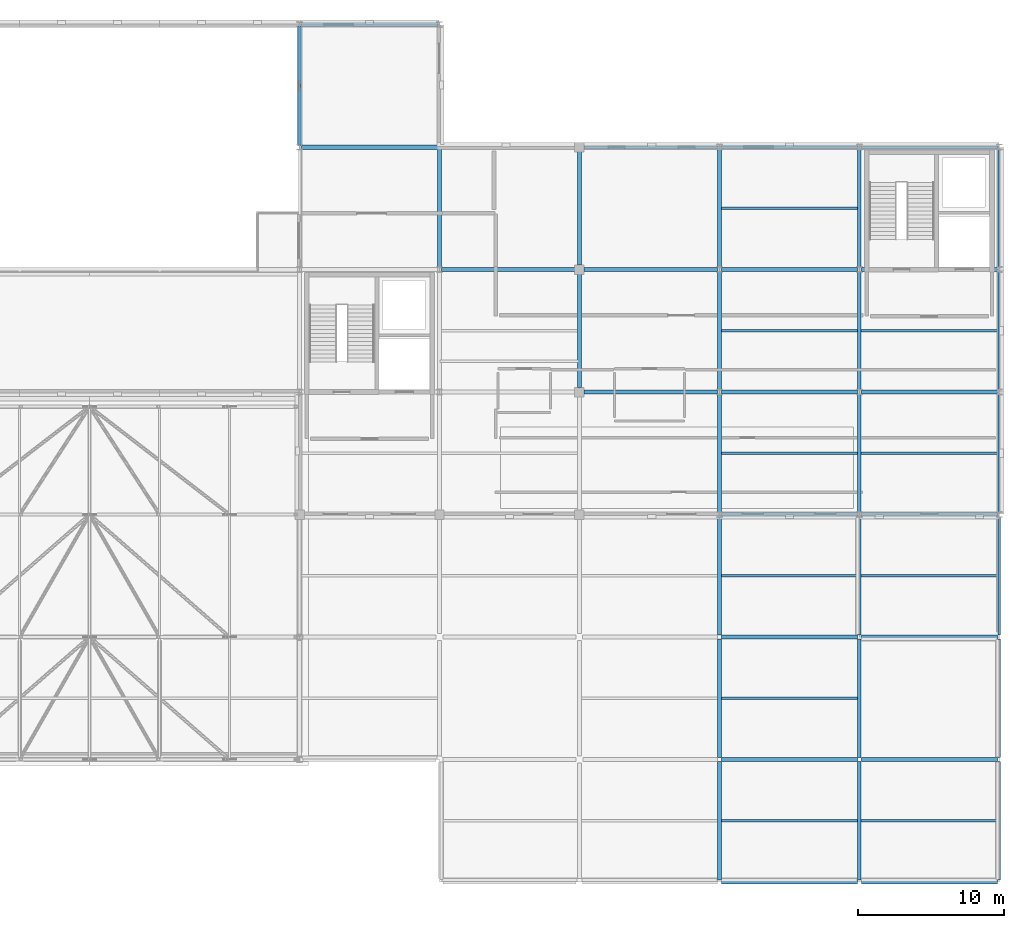
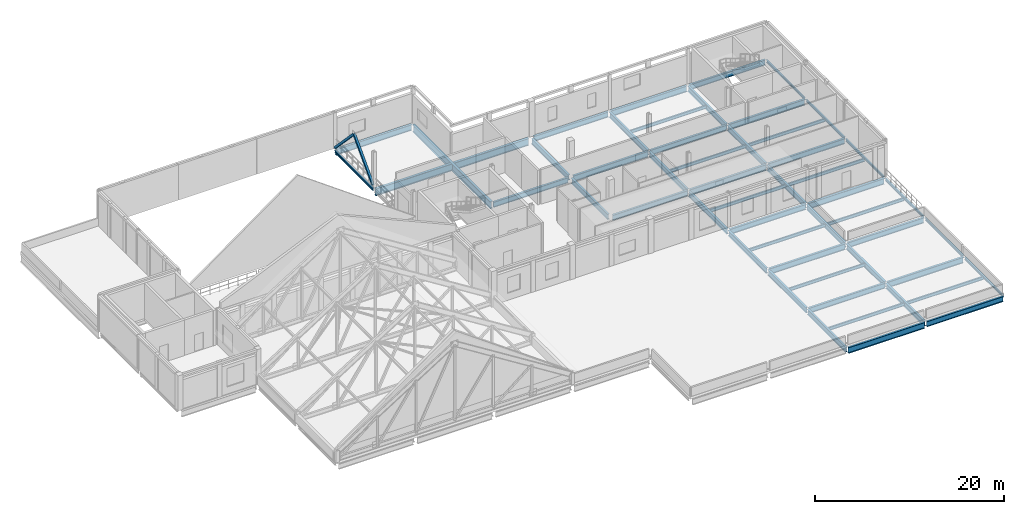
# One storey, part 16 of 26: 52 beams, 2 members.
"""IFC4 building model written with IfcOpenShell, lengths in metres."""

from ifc_helpers import new_model, si_unit, direction, frame, origin, origin_2d, place, context, subcontext, project, spatial, hollow_rectangle, i_section, extrude, material, material_profile, profile_set, type_object, element, save


model = new_model("IFC4")

# Units and contexts
model_context = context("Model", 3, precision=1e-05, world=origin(), true_north=direction((0.0, 1.0)))
body_context = subcontext(model_context, "Body", "Model", "MODEL_VIEW")
ifc_project = project(units=[si_unit("LENGTHUNIT", "METRE"), si_unit("AREAUNIT", "SQUARE_METRE"), si_unit("VOLUMEUNIT", "CUBIC_METRE"), si_unit("PLANEANGLEUNIT", "RADIAN"), si_unit("MASSUNIT", "GRAM", prefix="KILO")], contexts=[model_context])

# Site, building, storey
site_placement = place(None, origin())
site = spatial("IfcSite", under=ifc_project, at=site_placement, CompositionType="ELEMENT")
building_placement = place(site_placement, origin())
building = spatial("IfcBuilding", under=site, at=building_placement, Name="Lornevale Opera House", CompositionType="ELEMENT")
storey_placement = place(building_placement, frame((0.0, 0.0, 19.800048828125)))
storey = spatial("IfcBuildingStorey", under=building, at=storey_placement, Name="L05", CompositionType="ELEMENT", Elevation=19.800048828125)

# Members
ifc_material = material(Name="Structural Steel CSA G40.21 Grade 350W (350 MPa)", Category="steel")
ifc_material_profile_1 = material_profile(ifc_material, hollow_rectangle(XDim=0.25390625, YDim=0.25390625, WallThickness=0.0126953125, at=origin_2d()), Name="HSS254x254x13")
ifc_profile_set_1 = profile_set([ifc_material_profile_1], Name="Structural Steel CSA G40.21 Grade 350W (350 MPa)")
member_type = type_object("IfcMemberType", Name="Stagehouse Lateral Brace HSS254x254x13", PredefinedType="BRACE", material=ifc_profile_set_1)
member_1_placement = place(storey_placement, frame((96.0, 75.79345703125, 0.099853515625), z_axis=(0.0, 0.690233628868, 0.723586579187), x_axis=(-1.0, 0.0, 0.0)))
element("IfcMember", 1, at=member_1_placement, inside=storey, type_object=member_type, Name="Stagehouse Lateral Brace HSS254x254x13 0124", PredefinedType="BRACE", context=body_context, shape_type="SweptSolid", body=[
    extrude(hollow_rectangle(XDim=0.25390625, YDim=0.25390625, WallThickness=0.0126953125, at=origin_2d()), origin(), (0.0, 0.0, 1.0), 5.8046875),
])
member_2_placement = place(storey_placement, frame((96.0, 83.806396484375, 0.099853515625), z_axis=(0.0, -0.690211606653, 0.723607585671), x_axis=(1.0, 0.0, 0.0)))
element("IfcMember", 2, at=member_2_placement, inside=storey, type_object=member_type, Name="Stagehouse Lateral Brace HSS254x254x13 0125", PredefinedType="BRACE", context=body_context, shape_type="SweptSolid", body=[
    extrude(hollow_rectangle(XDim=0.25390625, YDim=0.25390625, WallThickness=0.0126953125, at=origin_2d()), origin(), (0.0, 0.0, 1.0), 5.804443359375),
])

# Beams
ifc_material_profile_2 = material_profile(ifc_material, i_section(OverallWidth=0.179931640625, OverallDepth=0.4130859375, WebThickness=0.009765625, FlangeThickness=0.01611328125, at=origin_2d()), Name="W410x74")
ifc_profile_set_2 = profile_set([ifc_material_profile_2], Name="Structural Steel CSA G40.21 Grade 350W (350 MPa)")
beam_type_1 = type_object("IfcBeamType", Name="Steel Floor Joist W410x74", PredefinedType="JOIST", material=ifc_profile_set_2)
for number, where, z_axis, x_axis, name in (
    (3, (124.927001953125, 29.39990234375, -0.511474609375), (1.0, 0.0, 0.0), (0.0, 1.0, 0.0), "Steel Floor Joist W410x74 2819"),
    (4, (124.927001953125, 37.800048828125, -0.511474609375), (1.0, 0.0, 0.0), (0.0, 1.0, 0.0), "Steel Floor Joist W410x74 2820"),
    (5, (124.927001953125, 46.199951171875, -0.511474609375), (1.0, 0.0, 0.0), (0.0, 1.0, 0.0), "Steel Floor Joist W410x74 2821"),
    (6, (124.927001953125, 54.60009765625, -0.511474609375), (1.0, 0.0, 0.0), (0.0, 1.0, 0.0), "Steel Floor Joist W410x74 2822"),
    (7, (124.927001953125, 63.0, -0.461669921875), (1.0, 0.0, 0.0), (0.0, 1.0, 0.0), "Steel Floor Joist W410x74 2823"),
    (8, (124.927001953125, 71.39990234375, -0.461669921875), (1.0, 0.0, 0.0), (0.0, 1.0, 0.0), "Steel Floor Joist W410x74 2824"),
):
    element("IfcBeam", number, at=place(storey_placement, frame(where, z_axis=z_axis, x_axis=x_axis)), inside=storey, type_object=beam_type_1, Name=name, PredefinedType="JOIST", context=body_context, shape_type="SweptSolid", body=[
        extrude(i_section(OverallWidth=0.179931640625, OverallDepth=0.4130859375, WebThickness=0.009765625, FlangeThickness=0.01611328125, at=origin_2d()), origin(), (0.0, 0.0, 1.0), 9.345947265625),
    ])
for number, where, z_axis, x_axis, name in (
    (9, (134.527099609375, 29.39990234375, -0.511474609375), (1.0, 0.0, 0.0), (0.0, 1.0, 0.0), "Steel Floor Joist W410x74 2825"),
    (10, (134.527099609375, 46.199951171875, -0.511474609375), (1.0, 0.0, 0.0), (0.0, 1.0, 0.0), "Steel Floor Joist W410x74 2826"),
    (11, (134.527099609375, 54.60009765625, -0.511474609375), (1.0, 0.0, 0.0), (0.0, 1.0, 0.0), "Steel Floor Joist W410x74 2827"),
    (12, (134.527099609375, 63.0, -0.461669921875), (1.0, 0.0, 0.0), (0.0, 1.0, 0.0), "Steel Floor Joist W410x74 2828"),
):
    element("IfcBeam", number, at=place(storey_placement, frame(where, z_axis=z_axis, x_axis=x_axis)), inside=storey, type_object=beam_type_1, Name=name, PredefinedType="JOIST", context=body_context, shape_type="SweptSolid", body=[
        extrude(i_section(OverallWidth=0.179931640625, OverallDepth=0.4130859375, WebThickness=0.009765625, FlangeThickness=0.01611328125, at=origin_2d()), origin(), (0.0, 0.0, 1.0), 9.389404296875),
    ])
ifc_material_profile_3 = material_profile(ifc_material, i_section(OverallWidth=0.25390625, OverallDepth=0.68798828125, WebThickness=0.01318359375, FlangeThickness=0.02099609375, at=origin_2d()), Name="W690x152")
ifc_profile_set_3 = profile_set([ifc_material_profile_3], Name="Structural Steel CSA G40.21 Grade 350W (350 MPa)")
beam_type_2 = type_object("IfcBeamType", Name="Steel Foyer Beam W690x152", PredefinedType="USERDEFINED", material=ifc_profile_set_3)
for number, where, z_axis, x_axis, name in (
    (13, (134.53662109375, 25.199951171875, -0.649169921875), (1.0, 0.0, 0.0), (0.0, 1.0, 0.0), "Steel Foyer Beam W690x152 2715"),
    (14, (124.9365234375, 33.60009765625, -0.649169921875), (1.0, 0.0, 0.0), (0.0, 1.0, 0.0), "Steel Foyer Beam W690x152 2722"),
    (15, (134.53662109375, 42.0, -0.649169921875), (1.0, 0.0, 0.0), (0.0, 1.0, 0.0), "Steel Foyer Beam W690x152 2731"),
    (16, (124.9365234375, 50.39990234375, -0.649169921875), (1.0, 0.0, 0.0), (0.0, 1.0, 0.0), "Steel Foyer Beam W690x152 2736"),
):
    element("IfcBeam", number, at=place(storey_placement, frame(where, z_axis=z_axis, x_axis=x_axis)), inside=storey, type_object=beam_type_2, Name=name, ObjectType="GIRDER", PredefinedType="USERDEFINED", context=body_context, shape_type="SweptSolid", body=[
        extrude(i_section(OverallWidth=0.25390625, OverallDepth=0.68798828125, WebThickness=0.01318359375, FlangeThickness=0.02099609375, at=origin_2d()), origin(), (0.0, 0.0, 1.0), 9.326904296875),
    ])
beam_1_placement = place(storey_placement, frame((115.5, 58.800048828125, -0.59912109375), z_axis=(1.0, 0.0, 0.0), x_axis=(0.0, 1.0, 0.0)))
element("IfcBeam", 17, at=beam_1_placement, inside=storey, type_object=beam_type_2, Name="Steel Foyer Beam W690x152 2742", ObjectType="GIRDER", PredefinedType="USERDEFINED", context=body_context, shape_type="SweptSolid", body=[
    extrude(i_section(OverallWidth=0.25390625, OverallDepth=0.68798828125, WebThickness=0.01318359375, FlangeThickness=0.02099609375, at=origin_2d()), origin(), (0.0, 0.0, 1.0), 9.16357421875),
])
beam_2_placement = place(storey_placement, frame((134.53662109375, 58.800048828125, -0.59912109375), z_axis=(1.0, 0.0, 0.0), x_axis=(0.0, 1.0, 0.0)))
element("IfcBeam", 18, at=beam_2_placement, inside=storey, type_object=beam_type_2, Name="Steel Foyer Beam W690x152 2744", ObjectType="GIRDER", PredefinedType="USERDEFINED", context=body_context, shape_type="SweptSolid", body=[
    extrude(i_section(OverallWidth=0.25390625, OverallDepth=0.68798828125, WebThickness=0.01318359375, FlangeThickness=0.02099609375, at=origin_2d()), origin(), (0.0, 0.0, 1.0), 9.326904296875),
])
beam_3_placement = place(storey_placement, frame((105.74951171875, 67.199951171875, -0.59912109375), z_axis=(1.0, 0.0, 0.0), x_axis=(0.0, 1.0, 0.0)))
element("IfcBeam", 19, at=beam_3_placement, inside=storey, type_object=beam_type_2, Name="Steel Foyer Beam W690x152 2748", ObjectType="GIRDER", PredefinedType="USERDEFINED", context=body_context, shape_type="SweptSolid", body=[
    extrude(i_section(OverallWidth=0.25390625, OverallDepth=0.68798828125, WebThickness=0.01318359375, FlangeThickness=0.02099609375, at=origin_2d()), origin(), (0.0, 0.0, 1.0), 9.150390625),
])
beam_4_placement = place(storey_placement, frame((124.9365234375, 67.199951171875, -0.59912109375), z_axis=(1.0, 0.0, 0.0), x_axis=(0.0, 1.0, 0.0)))
element("IfcBeam", 20, at=beam_4_placement, inside=storey, type_object=beam_type_2, Name="Steel Foyer Beam W690x152 2750", ObjectType="GIRDER", PredefinedType="USERDEFINED", context=body_context, shape_type="SweptSolid", body=[
    extrude(i_section(OverallWidth=0.25390625, OverallDepth=0.68798828125, WebThickness=0.01318359375, FlangeThickness=0.02099609375, at=origin_2d()), origin(), (0.0, 0.0, 1.0), 9.326904296875),
])
beam_5_placement = place(storey_placement, frame((115.5, 75.60009765625, -0.59912109375), z_axis=(1.0, 0.0, 0.0), x_axis=(0.0, 1.0, 0.0)))
element("IfcBeam", 21, at=beam_5_placement, inside=storey, type_object=beam_type_2, Name="Steel Foyer Beam W690x152 2753", ObjectType="GIRDER", PredefinedType="USERDEFINED", context=body_context, shape_type="SweptSolid", body=[
    extrude(i_section(OverallWidth=0.25390625, OverallDepth=0.68798828125, WebThickness=0.01318359375, FlangeThickness=0.02099609375, at=origin_2d()), origin(), (0.0, 0.0, 1.0), 9.16357421875),
])
beam_6_placement = place(storey_placement, frame((134.53662109375, 75.60009765625, -0.59912109375), z_axis=(1.0, 0.0, 0.0), x_axis=(0.0, 1.0, 0.0)))
element("IfcBeam", 22, at=beam_6_placement, inside=storey, type_object=beam_type_2, Name="Steel Foyer Beam W690x152 2755", ObjectType="GIRDER", PredefinedType="USERDEFINED", context=body_context, shape_type="SweptSolid", body=[
    extrude(i_section(OverallWidth=0.25390625, OverallDepth=0.68798828125, WebThickness=0.01318359375, FlangeThickness=0.02099609375, at=origin_2d()), origin(), (0.0, 0.0, 1.0), 9.326904296875),
])
beam_7_placement = place(storey_placement, frame((115.199951171875, 59.10009765625, -0.59912109375), z_axis=(0.0, 1.0, 0.0), x_axis=(-1.0, 0.0, 0.0)))
element("IfcBeam", 23, at=beam_7_placement, inside=storey, type_object=beam_type_2, Name="Steel Foyer Beam W690x152 2785", ObjectType="GIRDER", PredefinedType="USERDEFINED", context=body_context, shape_type="SweptSolid", body=[
    extrude(i_section(OverallWidth=0.25390625, OverallDepth=0.68798828125, WebThickness=0.01318359375, FlangeThickness=0.02099609375, at=origin_2d()), origin(), (0.0, 0.0, 1.0), 7.7998046875),
])
beam_8_placement = place(storey_placement, frame((115.199951171875, 67.5, -0.59912109375), z_axis=(0.0, 1.0, 0.0), x_axis=(-1.0, 0.0, 0.0)))
element("IfcBeam", 24, at=beam_8_placement, inside=storey, type_object=beam_type_2, Name="Steel Foyer Beam W690x152 2786", ObjectType="GIRDER", PredefinedType="USERDEFINED", context=body_context, shape_type="SweptSolid", body=[
    extrude(i_section(OverallWidth=0.25390625, OverallDepth=0.68798828125, WebThickness=0.01318359375, FlangeThickness=0.02099609375, at=origin_2d()), origin(), (0.0, 0.0, 1.0), 7.800048828125),
])
for number, where, z_axis, x_axis, name in (
    (25, (124.800048828125, 25.333984375, -0.649169921875), (0.0, 1.0, 0.0), (-1.0, 0.0, 0.0), "Steel Foyer Beam W690x152 2787"),
    (26, (124.800048828125, 33.73388671875, -0.649169921875), (0.0, 1.0, 0.0), (-1.0, 0.0, 0.0), "Steel Foyer Beam W690x152 2788"),
    (27, (124.800048828125, 42.134033203125, -0.649169921875), (0.0, 1.0, 0.0), (-1.0, 0.0, 0.0), "Steel Foyer Beam W690x152 2789"),
    (28, (124.800048828125, 50.533935546875, -0.649169921875), (0.0, 1.0, 0.0), (-1.0, 0.0, 0.0), "Steel Foyer Beam W690x152 2790"),
):
    element("IfcBeam", number, at=place(storey_placement, frame(where, z_axis=z_axis, x_axis=x_axis)), inside=storey, type_object=beam_type_2, Name=name, ObjectType="GIRDER", PredefinedType="USERDEFINED", context=body_context, shape_type="SweptSolid", body=[
        extrude(i_section(OverallWidth=0.25390625, OverallDepth=0.68798828125, WebThickness=0.01318359375, FlangeThickness=0.02099609375, at=origin_2d()), origin(), (0.0, 0.0, 1.0), 8.132080078125),
    ])
beam_9_placement = place(storey_placement, frame((124.800048828125, 58.93408203125, -0.59912109375), z_axis=(0.0, 1.0, 0.0), x_axis=(-1.0, 0.0, 0.0)))
element("IfcBeam", 29, at=beam_9_placement, inside=storey, type_object=beam_type_2, Name="Steel Foyer Beam W690x152 2791", ObjectType="GIRDER", PredefinedType="USERDEFINED", context=body_context, shape_type="SweptSolid", body=[
    extrude(i_section(OverallWidth=0.25390625, OverallDepth=0.68798828125, WebThickness=0.01318359375, FlangeThickness=0.02099609375, at=origin_2d()), origin(), (0.0, 0.0, 1.0), 8.1318359375),
])
for number, where, z_axis, x_axis, name in (
    (30, (124.800048828125, 67.333984375, -0.59912109375), (0.0, 1.0, 0.0), (-1.0, 0.0, 0.0), "Steel Foyer Beam W690x152 2792"),
    (31, (134.39990234375, 25.333984375, -0.649169921875), (0.0, 1.0, 0.0), (-1.0, 0.0, 0.0), "Steel Foyer Beam W690x152 2793"),
    (32, (134.39990234375, 33.73388671875, -0.649169921875), (0.0, 1.0, 0.0), (-1.0, 0.0, 0.0), "Steel Foyer Beam W690x152 2794"),
    (33, (134.39990234375, 42.134033203125, -0.649169921875), (0.0, 1.0, 0.0), (-1.0, 0.0, 0.0), "Steel Foyer Beam W690x152 2795"),
    (34, (134.39990234375, 50.533935546875, -0.649169921875), (0.0, 1.0, 0.0), (-1.0, 0.0, 0.0), "Steel Foyer Beam W690x152 2796"),
):
    element("IfcBeam", number, at=place(storey_placement, frame(where, z_axis=z_axis, x_axis=x_axis)), inside=storey, type_object=beam_type_2, Name=name, ObjectType="GIRDER", PredefinedType="USERDEFINED", context=body_context, shape_type="SweptSolid", body=[
        extrude(i_section(OverallWidth=0.25390625, OverallDepth=0.68798828125, WebThickness=0.01318359375, FlangeThickness=0.02099609375, at=origin_2d()), origin(), (0.0, 0.0, 1.0), 8.132080078125),
    ])
beam_10_placement = place(storey_placement, frame((134.39990234375, 58.93408203125, -0.59912109375), z_axis=(0.0, 1.0, 0.0), x_axis=(-1.0, 0.0, 0.0)))
element("IfcBeam", 35, at=beam_10_placement, inside=storey, type_object=beam_type_2, Name="Steel Foyer Beam W690x152 2797", ObjectType="GIRDER", PredefinedType="USERDEFINED", context=body_context, shape_type="SweptSolid", body=[
    extrude(i_section(OverallWidth=0.25390625, OverallDepth=0.68798828125, WebThickness=0.01318359375, FlangeThickness=0.02099609375, at=origin_2d()), origin(), (0.0, 0.0, 1.0), 8.1318359375),
])
beam_11_placement = place(storey_placement, frame((134.39990234375, 67.333984375, -0.59912109375), z_axis=(0.0, 1.0, 0.0), x_axis=(-1.0, 0.0, 0.0)))
element("IfcBeam", 36, at=beam_11_placement, inside=storey, type_object=beam_type_2, Name="Steel Foyer Beam W690x152 2798", ObjectType="GIRDER", PredefinedType="USERDEFINED", context=body_context, shape_type="SweptSolid", body=[
    extrude(i_section(OverallWidth=0.25390625, OverallDepth=0.68798828125, WebThickness=0.01318359375, FlangeThickness=0.02099609375, at=origin_2d()), origin(), (0.0, 0.0, 1.0), 8.132080078125),
])
ifc_material_profile_4 = material_profile(ifc_material, i_section(OverallWidth=0.1669921875, OverallDepth=0.31689453125, WebThickness=0.007568359375, FlangeThickness=0.01318359375, at=origin_2d()), Name="W310x52")
ifc_profile_set_4 = profile_set([ifc_material_profile_4], Name="Structural Steel CSA G40.21 Grade 350W (350 MPa)")
beam_type_3 = type_object("IfcBeamType", Name="Steel Spandrel Beam W310x52", PredefinedType="SPANDREL", material=ifc_profile_set_4)
beam_12_placement = place(storey_placement, frame((96.0, 75.74951171875, -0.41357421875), z_axis=(0.0, 1.0, 0.0), x_axis=(-1.0, 0.0, 0.0)))
element("IfcBeam", 37, at=beam_12_placement, inside=storey, type_object=beam_type_3, Name="Steel Spandrel Beam W310x52 2774", PredefinedType="SPANDREL", context=body_context, shape_type="SweptSolid", body=[
    extrude(i_section(OverallWidth=0.1669921875, OverallDepth=0.31689453125, WebThickness=0.007568359375, FlangeThickness=0.01318359375, at=origin_2d()), origin(), (0.0, 0.0, 1.0), 8.10107421875),
])
for number, where, z_axis, x_axis, name in (
    (38, (144.0, 25.333984375, -0.463623046875), (0.0, 1.0, 0.0), (-1.0, 0.0, 0.0), "Steel Spandrel Beam W310x52 2799"),
    (39, (144.0, 33.73388671875, -0.463623046875), (0.0, 1.0, 0.0), (-1.0, 0.0, 0.0), "Steel Spandrel Beam W310x52 2800"),
    (40, (144.0, 42.134033203125, -0.463623046875), (0.0, 1.0, 0.0), (-1.0, 0.0, 0.0), "Steel Spandrel Beam W310x52 2801"),
    (41, (144.0, 50.533935546875, -0.423583984375), (0.0, 1.0, 0.0), (-1.0, 0.0, 0.0), "Steel Spandrel Beam W310x52 2802"),
):
    element("IfcBeam", number, at=place(storey_placement, frame(where, z_axis=z_axis, x_axis=x_axis)), inside=storey, type_object=beam_type_3, Name=name, PredefinedType="SPANDREL", context=body_context, shape_type="SweptSolid", body=[
        extrude(i_section(OverallWidth=0.1669921875, OverallDepth=0.31689453125, WebThickness=0.007568359375, FlangeThickness=0.01318359375, at=origin_2d()), origin(), (0.0, 0.0, 1.0), 8.132080078125),
    ])
beam_13_placement = place(storey_placement, frame((144.0, 58.93408203125, -0.41357421875), z_axis=(0.0, 1.0, 0.0), x_axis=(-1.0, 0.0, 0.0)))
element("IfcBeam", 42, at=beam_13_placement, inside=storey, type_object=beam_type_3, Name="Steel Spandrel Beam W310x52 2803", PredefinedType="SPANDREL", context=body_context, shape_type="SweptSolid", body=[
    extrude(i_section(OverallWidth=0.1669921875, OverallDepth=0.31689453125, WebThickness=0.007568359375, FlangeThickness=0.01318359375, at=origin_2d()), origin(), (0.0, 0.0, 1.0), 8.1318359375),
])
beam_14_placement = place(storey_placement, frame((144.0, 67.333984375, -0.41357421875), z_axis=(0.0, 1.0, 0.0), x_axis=(-1.0, 0.0, 0.0)))
element("IfcBeam", 43, at=beam_14_placement, inside=storey, type_object=beam_type_3, Name="Steel Spandrel Beam W310x52 2804", PredefinedType="SPANDREL", context=body_context, shape_type="SweptSolid", body=[
    extrude(i_section(OverallWidth=0.1669921875, OverallDepth=0.31689453125, WebThickness=0.007568359375, FlangeThickness=0.01318359375, at=origin_2d()), origin(), (0.0, 0.0, 1.0), 8.132080078125),
])
ifc_material_profile_5 = material_profile(ifc_material, i_section(OverallWidth=0.305908203125, OverallDepth=0.9189453125, WebThickness=0.017333984375, FlangeThickness=0.02783203125, at=origin_2d()), Name="W920x253")
ifc_profile_set_5 = profile_set([ifc_material_profile_5], Name="Structural Steel CSA G40.21 Grade 350W (350 MPa)")
beam_type_4 = type_object("IfcBeamType", Name="Steel Stagehouse Girder W920x253", PredefinedType="USERDEFINED", material=ifc_profile_set_5)
beam_15_placement = place(storey_placement, frame((96.1494140625, 75.60009765625, -0.714599609375), z_axis=(1.0, 0.0, 0.0), x_axis=(0.0, 1.0, 0.0)))
element("IfcBeam", 44, at=beam_15_placement, inside=storey, type_object=beam_type_4, Name="Steel Stagehouse Girder W920x253 2752", ObjectType="GIRDER", PredefinedType="USERDEFINED", context=body_context, shape_type="SweptSolid", body=[
    extrude(i_section(OverallWidth=0.305908203125, OverallDepth=0.9189453125, WebThickness=0.017333984375, FlangeThickness=0.02783203125, at=origin_2d()), origin(), (0.0, 0.0, 1.0), 18.75048828125),
])
beam_16_placement = place(storey_placement, frame((105.60009765625, 67.349609375, -0.714599609375), z_axis=(0.0, 1.0, 0.0), x_axis=(-1.0, 0.0, 0.0)))
element("IfcBeam", 45, at=beam_16_placement, inside=storey, type_object=beam_type_4, Name="Steel Stagehouse Girder W920x253 2780", ObjectType="GIRDER", PredefinedType="USERDEFINED", context=body_context, shape_type="SweptSolid", body=[
    extrude(i_section(OverallWidth=0.305908203125, OverallDepth=0.9189453125, WebThickness=0.017333984375, FlangeThickness=0.02783203125, at=origin_2d()), origin(), (0.0, 0.0, 1.0), 16.5009765625),
])
ifc_material_profile_6 = material_profile(ifc_material, i_section(OverallWidth=0.26708984375, OverallDepth=0.76611328125, WebThickness=0.014892578125, FlangeThickness=0.023681640625, at=origin_2d()), Name="W760x185")
ifc_profile_set_6 = profile_set([ifc_material_profile_6], Name="Structural Steel CSA G40.21 Grade 350W (350 MPa)")
beam_type_5 = type_object("IfcBeamType", Name="Steel Workshop Girder W760x185", PredefinedType="USERDEFINED", material=ifc_profile_set_6)
for number, where, z_axis, x_axis, name in (
    (46, (124.9365234375, 25.199951171875, -0.68798828125), (1.0, 0.0, 0.0), (0.0, 1.0, 0.0), "Steel Workshop Girder W760x185 2714"),
    (47, (134.53662109375, 33.60009765625, -0.68798828125), (1.0, 0.0, 0.0), (0.0, 1.0, 0.0), "Steel Workshop Girder W760x185 2723"),
    (48, (124.9365234375, 42.0, -0.68798828125), (1.0, 0.0, 0.0), (0.0, 1.0, 0.0), "Steel Workshop Girder W760x185 2730"),
    (49, (134.53662109375, 50.39990234375, -0.68798828125), (1.0, 0.0, 0.0), (0.0, 1.0, 0.0), "Steel Workshop Girder W760x185 2737"),
    (50, (124.9365234375, 58.800048828125, -0.637939453125), (1.0, 0.0, 0.0), (0.0, 1.0, 0.0), "Steel Workshop Girder W760x185 2743"),
):
    element("IfcBeam", number, at=place(storey_placement, frame(where, z_axis=z_axis, x_axis=x_axis)), inside=storey, type_object=beam_type_5, Name=name, ObjectType="GIRDER", PredefinedType="USERDEFINED", context=body_context, shape_type="SweptSolid", body=[
        extrude(i_section(OverallWidth=0.26708984375, OverallDepth=0.76611328125, WebThickness=0.014892578125, FlangeThickness=0.023681640625, at=origin_2d()), origin(), (0.0, 0.0, 1.0), 9.326904296875),
    ])
beam_17_placement = place(storey_placement, frame((115.5, 67.199951171875, -0.637939453125), z_axis=(1.0, 0.0, 0.0), x_axis=(0.0, 1.0, 0.0)))
element("IfcBeam", 51, at=beam_17_placement, inside=storey, type_object=beam_type_5, Name="Steel Workshop Girder W760x185 2749", ObjectType="GIRDER", PredefinedType="USERDEFINED", context=body_context, shape_type="SweptSolid", body=[
    extrude(i_section(OverallWidth=0.26708984375, OverallDepth=0.76611328125, WebThickness=0.014892578125, FlangeThickness=0.023681640625, at=origin_2d()), origin(), (0.0, 0.0, 1.0), 9.16357421875),
])
for number, where, z_axis, x_axis, name in (
    (52, (134.53662109375, 67.199951171875, -0.637939453125), (1.0, 0.0, 0.0), (0.0, 1.0, 0.0), "Steel Workshop Girder W760x185 2751"),
    (53, (124.9365234375, 75.60009765625, -0.637939453125), (1.0, 0.0, 0.0), (0.0, 1.0, 0.0), "Steel Workshop Girder W760x185 2754"),
):
    element("IfcBeam", number, at=place(storey_placement, frame(where, z_axis=z_axis, x_axis=x_axis)), inside=storey, type_object=beam_type_5, Name=name, ObjectType="GIRDER", PredefinedType="USERDEFINED", context=body_context, shape_type="SweptSolid", body=[
        extrude(i_section(OverallWidth=0.26708984375, OverallDepth=0.76611328125, WebThickness=0.014892578125, FlangeThickness=0.023681640625, at=origin_2d()), origin(), (0.0, 0.0, 1.0), 9.326904296875),
    ])
beam_18_placement = place(storey_placement, frame((96.1494140625, 84.0, -0.637939453125), z_axis=(1.0, 0.0, 0.0), x_axis=(0.0, 1.0, 0.0)))
element("IfcBeam", 54, at=beam_18_placement, inside=storey, type_object=beam_type_5, Name="Steel Workshop Girder W760x185 2757", ObjectType="GIRDER", PredefinedType="USERDEFINED", context=body_context, shape_type="SweptSolid", body=[
    extrude(i_section(OverallWidth=0.26708984375, OverallDepth=0.76611328125, WebThickness=0.014892578125, FlangeThickness=0.023681640625, at=origin_2d()), origin(), (0.0, 0.0, 1.0), 9.301025390625),
])

save(model, "model.ifc")
